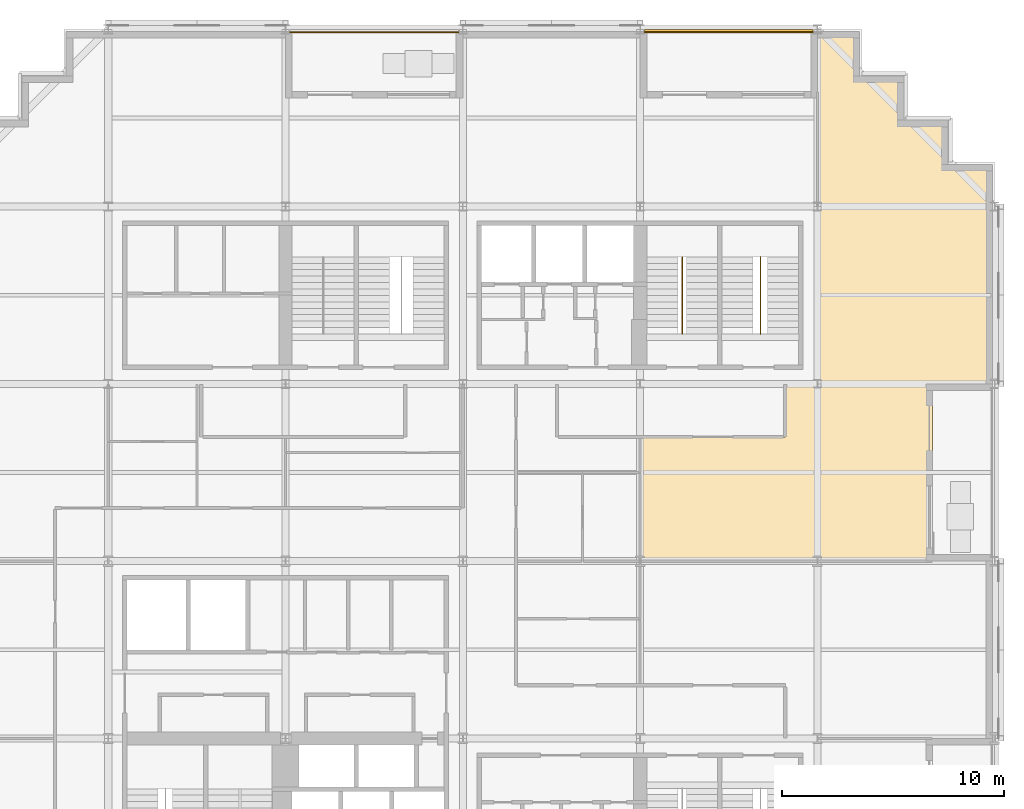
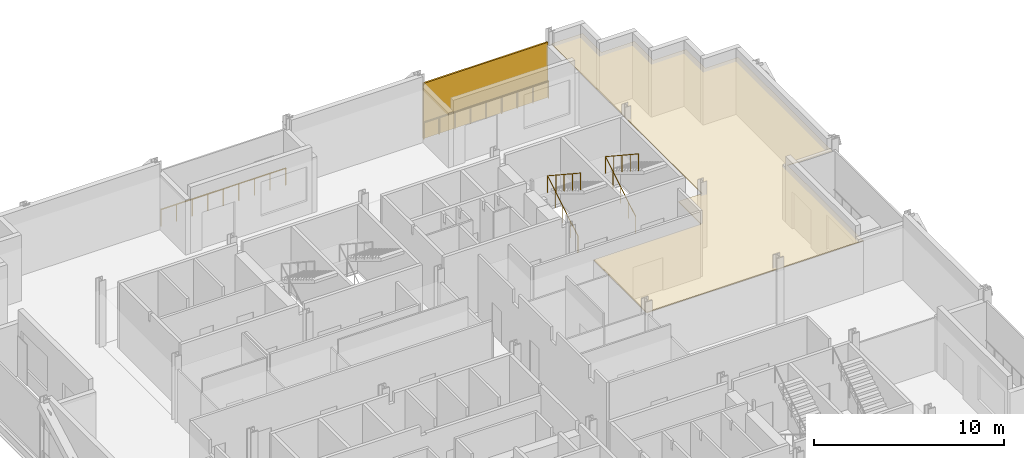
# One storey, part 13 of 14: 4 railings, 1 covering, 1 shading device.
"""IFC4 building model written with IfcOpenShell, lengths in metres."""

from ifc_helpers import new_model, si_unit, direction, frame, origin, origin_2d, place, context, subcontext, project, spatial, polyline, rectangle, circle, outline, extrude, material, layer, layer_set, type_object, element, save


model = new_model("IFC4")

# Units and contexts
model_context = context("Model", 3, precision=1e-05, world=origin(), true_north=direction((0.0, 1.0)))
body_context = subcontext(model_context, "Body", "Model", "MODEL_VIEW")
ifc_project = project(units=[si_unit("LENGTHUNIT", "METRE"), si_unit("AREAUNIT", "SQUARE_METRE"), si_unit("VOLUMEUNIT", "CUBIC_METRE"), si_unit("PLANEANGLEUNIT", "RADIAN"), si_unit("MASSUNIT", "GRAM", prefix="KILO")], contexts=[model_context])

# Site, building, storey
site_placement = place(None, origin())
site = spatial("IfcSite", under=ifc_project, at=site_placement, CompositionType="ELEMENT")
building_placement = place(site_placement, origin())
building = spatial("IfcBuilding", under=site, at=building_placement, Name="Immortelle Media Tower", CompositionType="ELEMENT")
storey_placement = place(building_placement, frame((0.0, 0.0, 39.199951171875)))
storey = spatial("IfcBuildingStorey", under=building, at=storey_placement, Name="L05", CompositionType="ELEMENT", Elevation=39.199951171875)

# Railings
ifc_material_1 = material(Name="Powder-coated aluminium fretwork panel, laminated glass backing", Category="aluminium")
railing_type_1 = type_object("IfcRailingType", Name="Fretwork balustrade 1100", PredefinedType="BALUSTRADE", material=ifc_material_1)
railing_1_placement = place(storey_placement, frame((39.800537109375, 47.860107421875, 0.0)))
element("IfcRailing", 1, at=railing_1_placement, inside=storey, type_object=railing_type_1, Name="Fretwork balustrade L05 N0", PredefinedType="BALUSTRADE", context=body_context, shape_type="SweptSolid", body=[
    extrude(circle(Radius=0.02490234375, at=origin_2d()), frame((0.0, 0.0, 1.0751953125), z_axis=(-1.0, 0.0, 0.0), x_axis=(0.0, -1.0, 0.0)), (0.0, 0.0, 1.0), 7.59765625),
    extrude(circle(Radius=0.02001953125, at=origin_2d()), origin(), (0.0, 0.0, 1.0), 1.050048828125),
    extrude(circle(Radius=0.02001953125, at=origin_2d()), frame((-0.94970703125, 0.0, 0.0)), (0.0, 0.0, 1.0), 1.050048828125),
    extrude(circle(Radius=0.02001953125, at=origin_2d()), frame((-1.8994140625, 0.0, 0.0)), (0.0, 0.0, 1.0), 1.050048828125),
    extrude(circle(Radius=0.02001953125, at=origin_2d()), frame((-2.84912109375, 0.0, 0.0)), (0.0, 0.0, 1.0), 1.050048828125),
    extrude(circle(Radius=0.02001953125, at=origin_2d()), frame((-3.798828125, 0.0, 0.0)), (0.0, 0.0, 1.0), 1.050048828125),
    extrude(circle(Radius=0.02001953125, at=origin_2d()), frame((-4.74853515625, 0.0, 0.0)), (0.0, 0.0, 1.0), 1.050048828125),
    extrude(circle(Radius=0.02001953125, at=origin_2d()), frame((-5.6982421875, 0.0, 0.0)), (0.0, 0.0, 1.0), 1.050048828125),
    extrude(circle(Radius=0.02001953125, at=origin_2d()), frame((-6.64794921875, 0.0, 0.0)), (0.0, 0.0, 1.0), 1.050048828125),
    extrude(circle(Radius=0.02001953125, at=origin_2d()), frame((-7.59765625, 0.0, 0.0)), (0.0, 0.0, 1.0), 1.050048828125),
])
railing_2_placement = place(storey_placement, frame((23.797119140625, 47.860107421875, 0.0)))
element("IfcRailing", 2, at=railing_2_placement, inside=storey, type_object=railing_type_1, Name="Fretwork balustrade L05 N2", PredefinedType="BALUSTRADE", context=body_context, shape_type="SweptSolid", body=[
    extrude(circle(Radius=0.02490234375, at=origin_2d()), frame((0.0, 0.0, 1.0751953125), z_axis=(-1.0, 0.0, 0.0), x_axis=(0.0, -1.0, 0.0)), (0.0, 0.0, 1.0), 7.591552734375),
    extrude(circle(Radius=0.02001953125, at=origin_2d()), origin(), (0.0, 0.0, 1.0), 1.050048828125),
    extrude(circle(Radius=0.02001953125, at=origin_2d()), frame((-0.948974609375, 0.0, 0.0)), (0.0, 0.0, 1.0), 1.050048828125),
    extrude(circle(Radius=0.02001953125, at=origin_2d()), frame((-1.89794921875, 0.0, 0.0)), (0.0, 0.0, 1.0), 1.050048828125),
    extrude(circle(Radius=0.02001953125, at=origin_2d()), frame((-2.846923828125, 0.0, 0.0)), (0.0, 0.0, 1.0), 1.050048828125),
    extrude(circle(Radius=0.02001953125, at=origin_2d()), frame((-3.7958984375, 0.0, 0.0)), (0.0, 0.0, 1.0), 1.050048828125),
    extrude(circle(Radius=0.02001953125, at=origin_2d()), frame((-4.74462890625, 0.0, 0.0)), (0.0, 0.0, 1.0), 1.050048828125),
    extrude(circle(Radius=0.02001953125, at=origin_2d()), frame((-5.693603515625, 0.0, 0.0)), (0.0, 0.0, 1.0), 1.050048828125),
    extrude(circle(Radius=0.02001953125, at=origin_2d()), frame((-6.642578125, 0.0, 0.0)), (0.0, 0.0, 1.0), 1.050048828125),
    extrude(circle(Radius=0.02001953125, at=origin_2d()), frame((-7.591552734375, 0.0, 0.0)), (0.0, 0.0, 1.0), 1.050048828125),
])

# Shading device
ifc_material_2 = material(Name="Pale aluminium louvre blades", Category="aluminium")
ifc_layer_1 = layer(ifc_material_2, 0.10009765625)
ifc_layer_set_1 = layer_set([ifc_layer_1], Name="Pale aluminium louvre blades")
shading_device_type = type_object("IfcShadingDeviceType", Name="Jalousie screen 100", PredefinedType="JALOUSIE", material=ifc_layer_set_1)
shading_device_placement = place(storey_placement, frame((36.001708984375, 47.949951171875, 0.0), z_axis=(0.0, 0.0, 1.0), x_axis=(-1.0, 0.0, 0.0)))
element("IfcShadingDevice", 3, at=shading_device_placement, inside=storey, type_object=shading_device_type, Name="Jalousie screen L05 N0", PredefinedType="JALOUSIE", context=body_context, shape_type="SweptSolid", body=[
    extrude(rectangle(XDim=7.597412109375, YDim=0.10009765625, at=origin_2d()), origin(), (0.0, 0.0, 1.0), 3.553955078125),
])

# Railings
ifc_material_3 = material(Name="Stainless steel AISI 316", Category="steel")
railing_type_2 = type_object("IfcRailingType", Name="Stair guard 1100", PredefinedType="GUARDRAIL", material=ifc_material_3)
for number, where, name in (
    (4, (33.89990234375, 34.5400390625, 0.176025390625), "Stair guard NE1"),
    (5, (37.425048828125, 34.5400390625, 0.176025390625), "Stair guard NE2"),
):
    element("IfcRailing", number, at=place(storey_placement, frame(where)), inside=storey, type_object=railing_type_2, Name=name, PredefinedType="GUARDRAIL", context=body_context, shape_type="SweptSolid", body=[
        extrude(circle(Radius=0.02392578125, at=origin_2d()), frame((0.0, 0.0, 1.076171875), z_axis=(0.0, 0.854872504309, 0.518838126371), x_axis=(-1.0, 0.0, 0.0)), (0.0, 0.0, 1.0), 3.7314453125),
        extrude(circle(Radius=0.02392578125, at=origin_2d()), frame((0.0, 3.18994140625, 3.01220703125), z_axis=(0.0, -0.835568629342, 0.549386080693), x_axis=(1.0, 0.0, 0.0)), (0.0, 0.0, 1.0), 4.164794921875),
        extrude(circle(Radius=0.02099609375, at=origin_2d()), origin(), (0.0, 0.0, 1.0), 1.052001953125),
        extrude(circle(Radius=0.02099609375, at=origin_2d()), frame((0.0, 0.79736328125, 0.48388671875)), (0.0, 0.0, 1.0), 1.052001953125),
        extrude(circle(Radius=0.02099609375, at=origin_2d()), frame((0.0, 1.594970703125, 0.968017578125)), (0.0, 0.0, 1.0), 1.052001953125),
        extrude(circle(Radius=0.02099609375, at=origin_2d()), frame((0.0, 2.392578125, 1.4521484375)), (0.0, 0.0, 1.0), 1.052001953125),
        extrude(circle(Radius=0.02099609375, at=origin_2d()), frame((0.0, 3.18994140625, 1.93603515625)), (0.0, 0.0, 1.0), 1.052001953125),
        extrude(circle(Radius=0.02099609375, at=origin_2d()), frame((0.0, 2.31982421875, 2.508056640625)), (0.0, 0.0, 1.0), 1.052001953125),
        extrude(circle(Radius=0.02099609375, at=origin_2d()), frame((0.0, 1.449951171875, 3.080078125)), (0.0, 0.0, 1.0), 1.052001953125),
        extrude(circle(Radius=0.02099609375, at=origin_2d()), frame((0.0, 0.580078125, 3.652099609375)), (0.0, 0.0, 1.0), 1.052001953125),
        extrude(circle(Radius=0.02099609375, at=origin_2d()), frame((0.0, -0.2900390625, 4.22412109375)), (0.0, 0.0, 1.0), 1.052001953125),
    ])

# Covering
ifc_material_4 = material(Name="Mineral fibre tile ceiling")
ifc_layer_2 = layer(ifc_material_4, 0.050048828125)
ifc_layer_set_2 = layer_set([ifc_layer_2], Name="Mineral fibre tile ceiling")
covering_type = type_object("IfcCoveringType", Name="Suspended ceiling 50", PredefinedType="CEILING", material=ifc_layer_set_2)
covering_placement = place(storey_placement, frame((0.0, 0.0, 3.341064453125)))
element("IfcCovering", 6, at=covering_placement, inside=storey, type_object=covering_type, Name="Ceiling L05-021", PredefinedType="CEILING", context=body_context, shape_type="SweptSolid", body=[
    extrude(outline(polyline([(38.550048828125, 32.0), (40.0, 32.0), (40.0, 40.0), (40.0, 45.199951171875), (40.0, 47.89990234375), (41.89990234375, 47.89990234375), (41.89990234375, 45.89990234375), (43.89990234375, 45.89990234375), (43.89990234375, 43.89990234375), (45.89990234375, 43.89990234375), (45.89990234375, 41.89990234375), (47.89990234375, 41.89990234375), (47.89990234375, 40.0), (47.89990234375, 32.0), (45.199951171875, 32.0), (45.199951171875, 24.0), (40.0, 24.0), (32.0, 24.0), (32.0, 29.60009765625), (38.550048828125, 29.60009765625), (38.550048828125, 32.0)])), origin(), (0.0, 0.0, 1.0), 0.050048828125),
])

save(model, "model.ifc")
